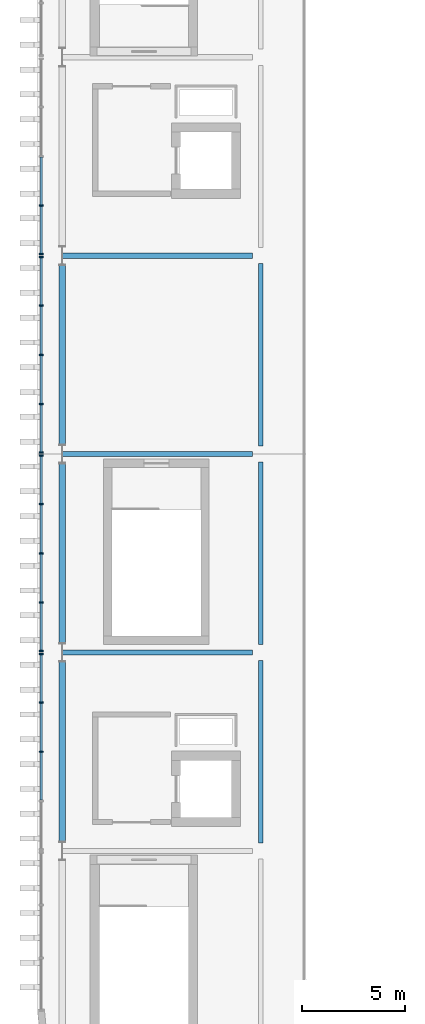
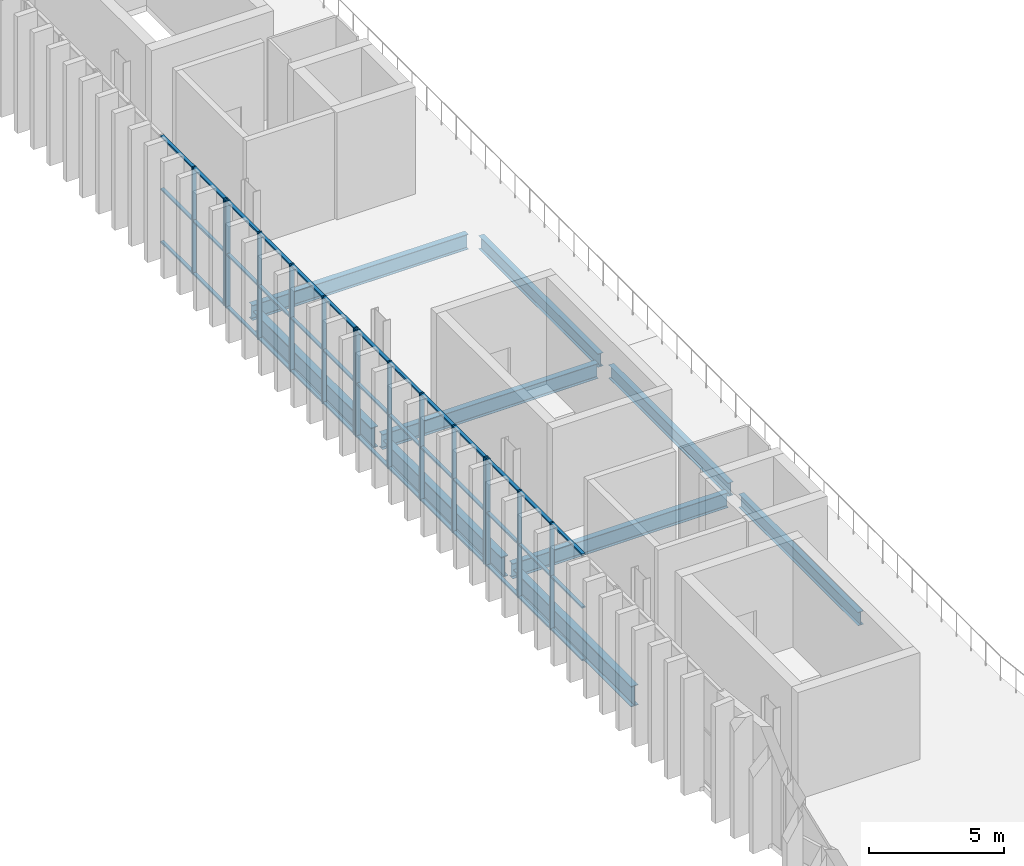
# One storey, part 12 of 45: 54 members, 9 beams, 4 elements without a shape of their own.
"""IFC4 building model written with IfcOpenShell, lengths in metres."""

from ifc_helpers import new_model, si_unit, direction, frame, origin, origin_2d, place, context, subcontext, project, spatial, rectangle, i_section, extrude, material, layer, layer_set, material_profile, profile_set, type_object, element, aggregate, save


model = new_model("IFC4")

# Units and contexts
model_context = context("Model", 3, precision=1e-05, world=origin(), true_north=direction((0.0, 1.0)))
body_context = subcontext(model_context, "Body", "Model", "MODEL_VIEW")
ifc_project = project(units=[si_unit("LENGTHUNIT", "METRE"), si_unit("AREAUNIT", "SQUARE_METRE"), si_unit("VOLUMEUNIT", "CUBIC_METRE"), si_unit("PLANEANGLEUNIT", "RADIAN"), si_unit("MASSUNIT", "GRAM", prefix="KILO")], contexts=[model_context])

# Site, building, storey
site_placement = place(None, origin())
site = spatial("IfcSite", under=ifc_project, at=site_placement, CompositionType="ELEMENT")
building_placement = place(site_placement, origin())
building = spatial("IfcBuilding", under=site, at=building_placement, Name="Caelomonte Colonnade Arena", CompositionType="ELEMENT")
storey_placement = place(building_placement, frame((0.0, 0.0, 23.10009765625)))
storey = spatial("IfcBuildingStorey", under=building, at=storey_placement, Name="L05", CompositionType="ELEMENT", Elevation=23.10009765625)

# Curtain wall, members
ifc_material_1 = material(Name="Bronze anodised aluminium and low-E glazing", Category="aluminium")
ifc_layer = layer(ifc_material_1, 0.179931640625)
ifc_layer_set = layer_set([ifc_layer], Name="Bronze anodised aluminium and low-E glazing")
curtain_wall_type = type_object("IfcCurtainWallType", Name="ENV-CW-CW-L05-96-48", PredefinedType="USERDEFINED", material=ifc_layer_set)
curtain_wall_1_placement = place(storey_placement, origin())
curtain_wall_1 = element("IfcCurtainWall", 1, at=curtain_wall_1_placement, inside=storey, type_object=curtain_wall_type, Name="L05 unitized curtain wall CW-L05-0566-0816", ObjectType="UNITIZED CURTAIN WALL", PredefinedType="USERDEFINED")
ifc_material_2 = material(Name="Bronze anodised aluminium AA6063-T6", Category="aluminium")
ifc_material_profile_1 = material_profile(ifc_material_2, rectangle(XDim=0.070068359375, YDim=0.179931640625, at=origin_2d()), Name="CWM-70X180")
ifc_profile_set_1 = profile_set([ifc_material_profile_1], Name="Bronze anodised aluminium AA6063-T6")
member_type_1 = type_object("IfcMemberType", Name="ENV-CW-MULL1", PredefinedType="MULLION", material=ifc_profile_set_1)
member_1_placement = place(storey_placement, frame((56.580078125, 79.219970703125, 0.0), z_axis=(0.0, 0.0, 1.0), x_axis=(0.0, -1.0, 0.0)))
member_1 = element("IfcMember", 2, at=member_1_placement, type_object=member_type_1, Name="CW-L05-96-48 mullion 4", PredefinedType="MULLION", context=body_context, shape_type="SweptSolid", body=[
    extrude(rectangle(XDim=0.070068359375, YDim=0.179931640625, at=origin_2d()), origin(), (0.0, 0.0, 1.0), 4.81982421875),
])
member_2_placement = place(storey_placement, frame((56.580078125, 76.875, 0.0), z_axis=(0.0, 0.0, 1.0), x_axis=(0.0, -1.0, 0.0)))
member_2 = element("IfcMember", 3, at=member_2_placement, type_object=member_type_1, Name="CW-L05-96-48 mullion 5", PredefinedType="MULLION", context=body_context, shape_type="SweptSolid", body=[
    extrude(rectangle(XDim=0.070068359375, YDim=0.179931640625, at=origin_2d()), origin(), (0.0, 0.0, 1.0), 4.81982421875),
])

curtain_wall_2_placement = place(storey_placement, origin())
curtain_wall_2 = element("IfcCurtainWall", 4, at=curtain_wall_2_placement, inside=storey, type_object=curtain_wall_type, Name="L05 unitized curtain wall CW-L05-0566-0720", ObjectType="UNITIZED CURTAIN WALL", PredefinedType="USERDEFINED")
member_3_placement = place(storey_placement, frame((56.580078125, 76.72509765625, 0.0), z_axis=(0.0, 0.0, 1.0), x_axis=(0.0, -1.0, 0.0)))
member_3 = element("IfcMember", 5, at=member_3_placement, type_object=member_type_1, Name="CW-L05-96-48 mullion 1", PredefinedType="MULLION", context=body_context, shape_type="SweptSolid", body=[
    extrude(rectangle(XDim=0.070068359375, YDim=0.179931640625, at=origin_2d()), origin(), (0.0, 0.0, 1.0), 4.81982421875),
])
member_4_placement = place(storey_placement, frame((56.580078125, 74.3798828125, 0.0), z_axis=(0.0, 0.0, 1.0), x_axis=(0.0, -1.0, 0.0)))
member_4 = element("IfcMember", 6, at=member_4_placement, type_object=member_type_1, Name="CW-L05-96-48 mullion 2", PredefinedType="MULLION", context=body_context, shape_type="SweptSolid", body=[
    extrude(rectangle(XDim=0.070068359375, YDim=0.179931640625, at=origin_2d()), origin(), (0.0, 0.0, 1.0), 4.81982421875),
])
member_5_placement = place(storey_placement, frame((56.580078125, 72.0, 0.0), z_axis=(0.0, 0.0, 1.0), x_axis=(0.0, -1.0, 0.0)))
member_5 = element("IfcMember", 7, at=member_5_placement, type_object=member_type_1, Name="CW-L05-96-48 mullion 3", PredefinedType="MULLION", context=body_context, shape_type="SweptSolid", body=[
    extrude(rectangle(XDim=0.070068359375, YDim=0.179931640625, at=origin_2d()), origin(), (0.0, 0.0, 1.0), 4.81982421875),
])
member_6_placement = place(storey_placement, frame((56.580078125, 69.6201171875, 0.0), z_axis=(0.0, 0.0, 1.0), x_axis=(0.0, -1.0, 0.0)))
member_6 = element("IfcMember", 8, at=member_6_placement, type_object=member_type_1, Name="CW-L05-96-48 mullion 4", PredefinedType="MULLION", context=body_context, shape_type="SweptSolid", body=[
    extrude(rectangle(XDim=0.070068359375, YDim=0.179931640625, at=origin_2d()), origin(), (0.0, 0.0, 1.0), 4.81982421875),
])
member_7_placement = place(storey_placement, frame((56.580078125, 67.27490234375, 0.0), z_axis=(0.0, 0.0, 1.0), x_axis=(0.0, -1.0, 0.0)))
member_7 = element("IfcMember", 9, at=member_7_placement, type_object=member_type_1, Name="CW-L05-96-48 mullion 5", PredefinedType="MULLION", context=body_context, shape_type="SweptSolid", body=[
    extrude(rectangle(XDim=0.070068359375, YDim=0.179931640625, at=origin_2d()), origin(), (0.0, 0.0, 1.0), 4.81982421875),
])

curtain_wall_3_placement = place(storey_placement, origin())
curtain_wall_3 = element("IfcCurtainWall", 10, at=curtain_wall_3_placement, inside=storey, type_object=curtain_wall_type, Name="L05 unitized curtain wall CW-L05-0566-0624", ObjectType="UNITIZED CURTAIN WALL", PredefinedType="USERDEFINED")
member_8_placement = place(storey_placement, frame((56.580078125, 67.125, 0.0), z_axis=(0.0, 0.0, 1.0), x_axis=(0.0, -1.0, 0.0)))
member_8 = element("IfcMember", 11, at=member_8_placement, type_object=member_type_1, Name="CW-L05-96-48 mullion 1", PredefinedType="MULLION", context=body_context, shape_type="SweptSolid", body=[
    extrude(rectangle(XDim=0.070068359375, YDim=0.179931640625, at=origin_2d()), origin(), (0.0, 0.0, 1.0), 4.81982421875),
])
member_9_placement = place(storey_placement, frame((56.580078125, 64.780029296875, 0.0), z_axis=(0.0, 0.0, 1.0), x_axis=(0.0, -1.0, 0.0)))
member_9 = element("IfcMember", 12, at=member_9_placement, type_object=member_type_1, Name="CW-L05-96-48 mullion 2", PredefinedType="MULLION", context=body_context, shape_type="SweptSolid", body=[
    extrude(rectangle(XDim=0.070068359375, YDim=0.179931640625, at=origin_2d()), origin(), (0.0, 0.0, 1.0), 4.81982421875),
])
member_10_placement = place(storey_placement, frame((56.580078125, 62.39990234375, 0.0), z_axis=(0.0, 0.0, 1.0), x_axis=(0.0, -1.0, 0.0)))
member_10 = element("IfcMember", 13, at=member_10_placement, type_object=member_type_1, Name="CW-L05-96-48 mullion 3", PredefinedType="MULLION", context=body_context, shape_type="SweptSolid", body=[
    extrude(rectangle(XDim=0.070068359375, YDim=0.179931640625, at=origin_2d()), origin(), (0.0, 0.0, 1.0), 4.81982421875),
])
member_11_placement = place(storey_placement, frame((56.580078125, 60.02001953125, 0.0), z_axis=(0.0, 0.0, 1.0), x_axis=(0.0, -1.0, 0.0)))
member_11 = element("IfcMember", 14, at=member_11_placement, type_object=member_type_1, Name="CW-L05-96-48 mullion 4", PredefinedType="MULLION", context=body_context, shape_type="SweptSolid", body=[
    extrude(rectangle(XDim=0.070068359375, YDim=0.179931640625, at=origin_2d()), origin(), (0.0, 0.0, 1.0), 4.81982421875),
])
member_12_placement = place(storey_placement, frame((56.580078125, 57.675048828125, 0.0), z_axis=(0.0, 0.0, 1.0), x_axis=(0.0, -1.0, 0.0)))
member_12 = element("IfcMember", 15, at=member_12_placement, type_object=member_type_1, Name="CW-L05-96-48 mullion 5", PredefinedType="MULLION", context=body_context, shape_type="SweptSolid", body=[
    extrude(rectangle(XDim=0.070068359375, YDim=0.179931640625, at=origin_2d()), origin(), (0.0, 0.0, 1.0), 4.81982421875),
])

curtain_wall_4_placement = place(storey_placement, origin())
curtain_wall_4 = element("IfcCurtainWall", 16, at=curtain_wall_4_placement, inside=storey, type_object=curtain_wall_type, Name="L05 unitized curtain wall CW-L05-0566-0528", ObjectType="UNITIZED CURTAIN WALL", PredefinedType="USERDEFINED")
member_13_placement = place(storey_placement, frame((56.580078125, 57.52490234375, 0.0), z_axis=(0.0, 0.0, 1.0), x_axis=(0.0, -1.0, 0.0)))
member_13 = element("IfcMember", 17, at=member_13_placement, type_object=member_type_1, Name="CW-L05-96-48 mullion 1", PredefinedType="MULLION", context=body_context, shape_type="SweptSolid", body=[
    extrude(rectangle(XDim=0.070068359375, YDim=0.179931640625, at=origin_2d()), origin(), (0.0, 0.0, 1.0), 4.81982421875),
])
member_14_placement = place(storey_placement, frame((56.580078125, 55.179931640625, 0.0), z_axis=(0.0, 0.0, 1.0), x_axis=(0.0, -1.0, 0.0)))
member_14 = element("IfcMember", 18, at=member_14_placement, type_object=member_type_1, Name="CW-L05-96-48 mullion 2", PredefinedType="MULLION", context=body_context, shape_type="SweptSolid", body=[
    extrude(rectangle(XDim=0.070068359375, YDim=0.179931640625, at=origin_2d()), origin(), (0.0, 0.0, 1.0), 4.81982421875),
])
member_15_placement = place(storey_placement, frame((56.580078125, 52.800048828125, 0.0), z_axis=(0.0, 0.0, 1.0), x_axis=(0.0, -1.0, 0.0)))
member_15 = element("IfcMember", 19, at=member_15_placement, type_object=member_type_1, Name="CW-L05-96-48 mullion 3", PredefinedType="MULLION", context=body_context, shape_type="SweptSolid", body=[
    extrude(rectangle(XDim=0.070068359375, YDim=0.179931640625, at=origin_2d()), origin(), (0.0, 0.0, 1.0), 4.81982421875),
])

# Member
ifc_material_profile_2 = material_profile(ifc_material_2, rectangle(XDim=0.070068359375, YDim=0.139892578125, at=origin_2d()), Name="CWT-70X140")
ifc_profile_set_2 = profile_set([ifc_material_profile_2], Name="Bronze anodised aluminium AA6063-T6")
member_type_2 = type_object("IfcMemberType", Name="ENV-CW-TRAN1", PredefinedType="USERDEFINED", material=ifc_profile_set_2)
member_16_placement = place(storey_placement, frame((56.580078125, 81.56494140625, 0.034912109375), z_axis=(0.0, -1.0, 0.0), x_axis=(0.0, 0.0, 1.0)))
member_16 = element("IfcMember", 20, at=member_16_placement, type_object=member_type_2, Name="CW-L05-96-48 transom 3.1", ObjectType="TRANSOM", PredefinedType="USERDEFINED", context=body_context, shape_type="SweptSolid", body=[
    extrude(rectangle(XDim=0.070068359375, YDim=0.139892578125, at=origin_2d()), origin(), (0.0, 0.0, 1.0), 2.31005859375),
])

member_17_placement = place(storey_placement, frame((56.580078125, 81.56494140625, 2.409912109375), z_axis=(0.0, -1.0, 0.0), x_axis=(0.0, 0.0, 1.0)))
member_17 = element("IfcMember", 21, at=member_17_placement, type_object=member_type_2, Name="CW-L05-96-48 transom 3.2", ObjectType="TRANSOM", PredefinedType="USERDEFINED", context=body_context, shape_type="SweptSolid", body=[
    extrude(rectangle(XDim=0.070068359375, YDim=0.139892578125, at=origin_2d()), origin(), (0.0, 0.0, 1.0), 2.31005859375),
])

member_18_placement = place(storey_placement, frame((56.580078125, 81.56494140625, 4.784912109375), z_axis=(0.0, -1.0, 0.0), x_axis=(0.0, 0.0, 1.0)))
member_18 = element("IfcMember", 22, at=member_18_placement, type_object=member_type_2, Name="CW-L05-96-48 transom 3.3", ObjectType="TRANSOM", PredefinedType="USERDEFINED", context=body_context, shape_type="SweptSolid", body=[
    extrude(rectangle(XDim=0.070068359375, YDim=0.139892578125, at=origin_2d()), origin(), (0.0, 0.0, 1.0), 2.31005859375),
])

member_19_placement = place(storey_placement, frame((56.580078125, 79.18505859375, 0.034912109375), z_axis=(0.0, -1.0, 0.0), x_axis=(0.0, 0.0, 1.0)))
member_19 = element("IfcMember", 23, at=member_19_placement, type_object=member_type_2, Name="CW-L05-96-48 transom 4.1", ObjectType="TRANSOM", PredefinedType="USERDEFINED", context=body_context, shape_type="SweptSolid", body=[
    extrude(rectangle(XDim=0.070068359375, YDim=0.139892578125, at=origin_2d()), origin(), (0.0, 0.0, 1.0), 2.275146484375),
])

member_20_placement = place(storey_placement, frame((56.580078125, 79.18505859375, 2.409912109375), z_axis=(0.0, -1.0, 0.0), x_axis=(0.0, 0.0, 1.0)))
member_20 = element("IfcMember", 24, at=member_20_placement, type_object=member_type_2, Name="CW-L05-96-48 transom 4.2", ObjectType="TRANSOM", PredefinedType="USERDEFINED", context=body_context, shape_type="SweptSolid", body=[
    extrude(rectangle(XDim=0.070068359375, YDim=0.139892578125, at=origin_2d()), origin(), (0.0, 0.0, 1.0), 2.275146484375),
])

member_21_placement = place(storey_placement, frame((56.580078125, 79.18505859375, 4.784912109375), z_axis=(0.0, -1.0, 0.0), x_axis=(0.0, 0.0, 1.0)))
member_21 = element("IfcMember", 25, at=member_21_placement, type_object=member_type_2, Name="CW-L05-96-48 transom 4.3", ObjectType="TRANSOM", PredefinedType="USERDEFINED", context=body_context, shape_type="SweptSolid", body=[
    extrude(rectangle(XDim=0.070068359375, YDim=0.139892578125, at=origin_2d()), origin(), (0.0, 0.0, 1.0), 2.275146484375),
])

aggregate(curtain_wall_1, [member_1, member_2, member_16, member_17, member_18, member_19, member_20, member_21])

member_22_placement = place(storey_placement, frame((56.580078125, 76.68994140625, 0.034912109375), z_axis=(0.0, -1.0, 0.0), x_axis=(0.0, 0.0, 1.0)))
member_22 = element("IfcMember", 26, at=member_22_placement, type_object=member_type_2, Name="CW-L05-96-48 transom 1.1", ObjectType="TRANSOM", PredefinedType="USERDEFINED", context=body_context, shape_type="SweptSolid", body=[
    extrude(rectangle(XDim=0.070068359375, YDim=0.139892578125, at=origin_2d()), origin(), (0.0, 0.0, 1.0), 2.27490234375),
])

member_23_placement = place(storey_placement, frame((56.580078125, 76.68994140625, 2.409912109375), z_axis=(0.0, -1.0, 0.0), x_axis=(0.0, 0.0, 1.0)))
member_23 = element("IfcMember", 27, at=member_23_placement, type_object=member_type_2, Name="CW-L05-96-48 transom 1.2", ObjectType="TRANSOM", PredefinedType="USERDEFINED", context=body_context, shape_type="SweptSolid", body=[
    extrude(rectangle(XDim=0.070068359375, YDim=0.139892578125, at=origin_2d()), origin(), (0.0, 0.0, 1.0), 2.27490234375),
])

member_24_placement = place(storey_placement, frame((56.580078125, 76.68994140625, 4.784912109375), z_axis=(0.0, -1.0, 0.0), x_axis=(0.0, 0.0, 1.0)))
member_24 = element("IfcMember", 28, at=member_24_placement, type_object=member_type_2, Name="CW-L05-96-48 transom 1.3", ObjectType="TRANSOM", PredefinedType="USERDEFINED", context=body_context, shape_type="SweptSolid", body=[
    extrude(rectangle(XDim=0.070068359375, YDim=0.139892578125, at=origin_2d()), origin(), (0.0, 0.0, 1.0), 2.27490234375),
])

member_25_placement = place(storey_placement, frame((56.580078125, 74.344970703125, 0.034912109375), z_axis=(0.0, -1.0, 0.0), x_axis=(0.0, 0.0, 1.0)))
member_25 = element("IfcMember", 29, at=member_25_placement, type_object=member_type_2, Name="CW-L05-96-48 transom 2.1", ObjectType="TRANSOM", PredefinedType="USERDEFINED", context=body_context, shape_type="SweptSolid", body=[
    extrude(rectangle(XDim=0.070068359375, YDim=0.139892578125, at=origin_2d()), origin(), (0.0, 0.0, 1.0), 2.31005859375),
])

member_26_placement = place(storey_placement, frame((56.580078125, 74.344970703125, 2.409912109375), z_axis=(0.0, -1.0, 0.0), x_axis=(0.0, 0.0, 1.0)))
member_26 = element("IfcMember", 30, at=member_26_placement, type_object=member_type_2, Name="CW-L05-96-48 transom 2.2", ObjectType="TRANSOM", PredefinedType="USERDEFINED", context=body_context, shape_type="SweptSolid", body=[
    extrude(rectangle(XDim=0.070068359375, YDim=0.139892578125, at=origin_2d()), origin(), (0.0, 0.0, 1.0), 2.31005859375),
])

member_27_placement = place(storey_placement, frame((56.580078125, 74.344970703125, 4.784912109375), z_axis=(0.0, -1.0, 0.0), x_axis=(0.0, 0.0, 1.0)))
member_27 = element("IfcMember", 31, at=member_27_placement, type_object=member_type_2, Name="CW-L05-96-48 transom 2.3", ObjectType="TRANSOM", PredefinedType="USERDEFINED", context=body_context, shape_type="SweptSolid", body=[
    extrude(rectangle(XDim=0.070068359375, YDim=0.139892578125, at=origin_2d()), origin(), (0.0, 0.0, 1.0), 2.31005859375),
])

member_28_placement = place(storey_placement, frame((56.580078125, 71.965087890625, 0.034912109375), z_axis=(0.0, -1.0, 0.0), x_axis=(0.0, 0.0, 1.0)))
member_28 = element("IfcMember", 32, at=member_28_placement, type_object=member_type_2, Name="CW-L05-96-48 transom 3.1", ObjectType="TRANSOM", PredefinedType="USERDEFINED", context=body_context, shape_type="SweptSolid", body=[
    extrude(rectangle(XDim=0.070068359375, YDim=0.139892578125, at=origin_2d()), origin(), (0.0, 0.0, 1.0), 2.31005859375),
])

member_29_placement = place(storey_placement, frame((56.580078125, 71.965087890625, 2.409912109375), z_axis=(0.0, -1.0, 0.0), x_axis=(0.0, 0.0, 1.0)))
member_29 = element("IfcMember", 33, at=member_29_placement, type_object=member_type_2, Name="CW-L05-96-48 transom 3.2", ObjectType="TRANSOM", PredefinedType="USERDEFINED", context=body_context, shape_type="SweptSolid", body=[
    extrude(rectangle(XDim=0.070068359375, YDim=0.139892578125, at=origin_2d()), origin(), (0.0, 0.0, 1.0), 2.31005859375),
])

member_30_placement = place(storey_placement, frame((56.580078125, 71.965087890625, 4.784912109375), z_axis=(0.0, -1.0, 0.0), x_axis=(0.0, 0.0, 1.0)))
member_30 = element("IfcMember", 34, at=member_30_placement, type_object=member_type_2, Name="CW-L05-96-48 transom 3.3", ObjectType="TRANSOM", PredefinedType="USERDEFINED", context=body_context, shape_type="SweptSolid", body=[
    extrude(rectangle(XDim=0.070068359375, YDim=0.139892578125, at=origin_2d()), origin(), (0.0, 0.0, 1.0), 2.31005859375),
])

member_31_placement = place(storey_placement, frame((56.580078125, 69.5849609375, 0.034912109375), z_axis=(0.0, -1.0, 0.0), x_axis=(0.0, 0.0, 1.0)))
member_31 = element("IfcMember", 35, at=member_31_placement, type_object=member_type_2, Name="CW-L05-96-48 transom 4.1", ObjectType="TRANSOM", PredefinedType="USERDEFINED", context=body_context, shape_type="SweptSolid", body=[
    extrude(rectangle(XDim=0.070068359375, YDim=0.139892578125, at=origin_2d()), origin(), (0.0, 0.0, 1.0), 2.27490234375),
])

member_32_placement = place(storey_placement, frame((56.580078125, 69.5849609375, 2.409912109375), z_axis=(0.0, -1.0, 0.0), x_axis=(0.0, 0.0, 1.0)))
member_32 = element("IfcMember", 36, at=member_32_placement, type_object=member_type_2, Name="CW-L05-96-48 transom 4.2", ObjectType="TRANSOM", PredefinedType="USERDEFINED", context=body_context, shape_type="SweptSolid", body=[
    extrude(rectangle(XDim=0.070068359375, YDim=0.139892578125, at=origin_2d()), origin(), (0.0, 0.0, 1.0), 2.27490234375),
])

member_33_placement = place(storey_placement, frame((56.580078125, 69.5849609375, 4.784912109375), z_axis=(0.0, -1.0, 0.0), x_axis=(0.0, 0.0, 1.0)))
member_33 = element("IfcMember", 37, at=member_33_placement, type_object=member_type_2, Name="CW-L05-96-48 transom 4.3", ObjectType="TRANSOM", PredefinedType="USERDEFINED", context=body_context, shape_type="SweptSolid", body=[
    extrude(rectangle(XDim=0.070068359375, YDim=0.139892578125, at=origin_2d()), origin(), (0.0, 0.0, 1.0), 2.27490234375),
])

aggregate(curtain_wall_2, [member_3, member_4, member_5, member_6, member_7, member_22, member_23, member_24, member_25, member_26, member_27, member_28, member_29, member_30, member_31, member_32, member_33])

member_34_placement = place(storey_placement, frame((56.580078125, 67.090087890625, 0.034912109375), z_axis=(0.0, -1.0, 0.0), x_axis=(0.0, 0.0, 1.0)))
member_34 = element("IfcMember", 38, at=member_34_placement, type_object=member_type_2, Name="CW-L05-96-48 transom 1.1", ObjectType="TRANSOM", PredefinedType="USERDEFINED", context=body_context, shape_type="SweptSolid", body=[
    extrude(rectangle(XDim=0.070068359375, YDim=0.139892578125, at=origin_2d()), origin(), (0.0, 0.0, 1.0), 2.275146484375),
])

member_35_placement = place(storey_placement, frame((56.580078125, 67.090087890625, 2.409912109375), z_axis=(0.0, -1.0, 0.0), x_axis=(0.0, 0.0, 1.0)))
member_35 = element("IfcMember", 39, at=member_35_placement, type_object=member_type_2, Name="CW-L05-96-48 transom 1.2", ObjectType="TRANSOM", PredefinedType="USERDEFINED", context=body_context, shape_type="SweptSolid", body=[
    extrude(rectangle(XDim=0.070068359375, YDim=0.139892578125, at=origin_2d()), origin(), (0.0, 0.0, 1.0), 2.275146484375),
])

member_36_placement = place(storey_placement, frame((56.580078125, 67.090087890625, 4.784912109375), z_axis=(0.0, -1.0, 0.0), x_axis=(0.0, 0.0, 1.0)))
member_36 = element("IfcMember", 40, at=member_36_placement, type_object=member_type_2, Name="CW-L05-96-48 transom 1.3", ObjectType="TRANSOM", PredefinedType="USERDEFINED", context=body_context, shape_type="SweptSolid", body=[
    extrude(rectangle(XDim=0.070068359375, YDim=0.139892578125, at=origin_2d()), origin(), (0.0, 0.0, 1.0), 2.275146484375),
])

member_37_placement = place(storey_placement, frame((56.580078125, 64.7451171875, 0.034912109375), z_axis=(0.0, -1.0, 0.0), x_axis=(0.0, 0.0, 1.0)))
member_37 = element("IfcMember", 41, at=member_37_placement, type_object=member_type_2, Name="CW-L05-96-48 transom 2.1", ObjectType="TRANSOM", PredefinedType="USERDEFINED", context=body_context, shape_type="SweptSolid", body=[
    extrude(rectangle(XDim=0.070068359375, YDim=0.139892578125, at=origin_2d()), origin(), (0.0, 0.0, 1.0), 2.31005859375),
])

member_38_placement = place(storey_placement, frame((56.580078125, 64.7451171875, 2.409912109375), z_axis=(0.0, -1.0, 0.0), x_axis=(0.0, 0.0, 1.0)))
member_38 = element("IfcMember", 42, at=member_38_placement, type_object=member_type_2, Name="CW-L05-96-48 transom 2.2", ObjectType="TRANSOM", PredefinedType="USERDEFINED", context=body_context, shape_type="SweptSolid", body=[
    extrude(rectangle(XDim=0.070068359375, YDim=0.139892578125, at=origin_2d()), origin(), (0.0, 0.0, 1.0), 2.31005859375),
])

member_39_placement = place(storey_placement, frame((56.580078125, 64.7451171875, 4.784912109375), z_axis=(0.0, -1.0, 0.0), x_axis=(0.0, 0.0, 1.0)))
member_39 = element("IfcMember", 43, at=member_39_placement, type_object=member_type_2, Name="CW-L05-96-48 transom 2.3", ObjectType="TRANSOM", PredefinedType="USERDEFINED", context=body_context, shape_type="SweptSolid", body=[
    extrude(rectangle(XDim=0.070068359375, YDim=0.139892578125, at=origin_2d()), origin(), (0.0, 0.0, 1.0), 2.31005859375),
])

member_40_placement = place(storey_placement, frame((56.580078125, 62.364990234375, 0.034912109375), z_axis=(0.0, -1.0, 0.0), x_axis=(0.0, 0.0, 1.0)))
member_40 = element("IfcMember", 44, at=member_40_placement, type_object=member_type_2, Name="CW-L05-96-48 transom 3.1", ObjectType="TRANSOM", PredefinedType="USERDEFINED", context=body_context, shape_type="SweptSolid", body=[
    extrude(rectangle(XDim=0.070068359375, YDim=0.139892578125, at=origin_2d()), origin(), (0.0, 0.0, 1.0), 2.31005859375),
])

member_41_placement = place(storey_placement, frame((56.580078125, 62.364990234375, 2.409912109375), z_axis=(0.0, -1.0, 0.0), x_axis=(0.0, 0.0, 1.0)))
member_41 = element("IfcMember", 45, at=member_41_placement, type_object=member_type_2, Name="CW-L05-96-48 transom 3.2", ObjectType="TRANSOM", PredefinedType="USERDEFINED", context=body_context, shape_type="SweptSolid", body=[
    extrude(rectangle(XDim=0.070068359375, YDim=0.139892578125, at=origin_2d()), origin(), (0.0, 0.0, 1.0), 2.31005859375),
])

member_42_placement = place(storey_placement, frame((56.580078125, 62.364990234375, 4.784912109375), z_axis=(0.0, -1.0, 0.0), x_axis=(0.0, 0.0, 1.0)))
member_42 = element("IfcMember", 46, at=member_42_placement, type_object=member_type_2, Name="CW-L05-96-48 transom 3.3", ObjectType="TRANSOM", PredefinedType="USERDEFINED", context=body_context, shape_type="SweptSolid", body=[
    extrude(rectangle(XDim=0.070068359375, YDim=0.139892578125, at=origin_2d()), origin(), (0.0, 0.0, 1.0), 2.31005859375),
])

member_43_placement = place(storey_placement, frame((56.580078125, 59.985107421875, 0.034912109375), z_axis=(0.0, -1.0, 0.0), x_axis=(0.0, 0.0, 1.0)))
member_43 = element("IfcMember", 47, at=member_43_placement, type_object=member_type_2, Name="CW-L05-96-48 transom 4.1", ObjectType="TRANSOM", PredefinedType="USERDEFINED", context=body_context, shape_type="SweptSolid", body=[
    extrude(rectangle(XDim=0.070068359375, YDim=0.139892578125, at=origin_2d()), origin(), (0.0, 0.0, 1.0), 2.275146484375),
])

member_44_placement = place(storey_placement, frame((56.580078125, 59.985107421875, 2.409912109375), z_axis=(0.0, -1.0, 0.0), x_axis=(0.0, 0.0, 1.0)))
member_44 = element("IfcMember", 48, at=member_44_placement, type_object=member_type_2, Name="CW-L05-96-48 transom 4.2", ObjectType="TRANSOM", PredefinedType="USERDEFINED", context=body_context, shape_type="SweptSolid", body=[
    extrude(rectangle(XDim=0.070068359375, YDim=0.139892578125, at=origin_2d()), origin(), (0.0, 0.0, 1.0), 2.275146484375),
])

member_45_placement = place(storey_placement, frame((56.580078125, 59.985107421875, 4.784912109375), z_axis=(0.0, -1.0, 0.0), x_axis=(0.0, 0.0, 1.0)))
member_45 = element("IfcMember", 49, at=member_45_placement, type_object=member_type_2, Name="CW-L05-96-48 transom 4.3", ObjectType="TRANSOM", PredefinedType="USERDEFINED", context=body_context, shape_type="SweptSolid", body=[
    extrude(rectangle(XDim=0.070068359375, YDim=0.139892578125, at=origin_2d()), origin(), (0.0, 0.0, 1.0), 2.275146484375),
])

aggregate(curtain_wall_3, [member_8, member_9, member_10, member_11, member_12, member_34, member_35, member_36, member_37, member_38, member_39, member_40, member_41, member_42, member_43, member_44, member_45])

member_46_placement = place(storey_placement, frame((56.580078125, 57.489990234375, 0.034912109375), z_axis=(0.0, -1.0, 0.0), x_axis=(0.0, 0.0, 1.0)))
member_46 = element("IfcMember", 50, at=member_46_placement, type_object=member_type_2, Name="CW-L05-96-48 transom 1.1", ObjectType="TRANSOM", PredefinedType="USERDEFINED", context=body_context, shape_type="SweptSolid", body=[
    extrude(rectangle(XDim=0.070068359375, YDim=0.139892578125, at=origin_2d()), origin(), (0.0, 0.0, 1.0), 2.27490234375),
])

member_47_placement = place(storey_placement, frame((56.580078125, 57.489990234375, 2.409912109375), z_axis=(0.0, -1.0, 0.0), x_axis=(0.0, 0.0, 1.0)))
member_47 = element("IfcMember", 51, at=member_47_placement, type_object=member_type_2, Name="CW-L05-96-48 transom 1.2", ObjectType="TRANSOM", PredefinedType="USERDEFINED", context=body_context, shape_type="SweptSolid", body=[
    extrude(rectangle(XDim=0.070068359375, YDim=0.139892578125, at=origin_2d()), origin(), (0.0, 0.0, 1.0), 2.27490234375),
])

member_48_placement = place(storey_placement, frame((56.580078125, 57.489990234375, 4.784912109375), z_axis=(0.0, -1.0, 0.0), x_axis=(0.0, 0.0, 1.0)))
member_48 = element("IfcMember", 52, at=member_48_placement, type_object=member_type_2, Name="CW-L05-96-48 transom 1.3", ObjectType="TRANSOM", PredefinedType="USERDEFINED", context=body_context, shape_type="SweptSolid", body=[
    extrude(rectangle(XDim=0.070068359375, YDim=0.139892578125, at=origin_2d()), origin(), (0.0, 0.0, 1.0), 2.27490234375),
])

member_49_placement = place(storey_placement, frame((56.580078125, 55.14501953125, 0.034912109375), z_axis=(0.0, -1.0, 0.0), x_axis=(0.0, 0.0, 1.0)))
member_49 = element("IfcMember", 53, at=member_49_placement, type_object=member_type_2, Name="CW-L05-96-48 transom 2.1", ObjectType="TRANSOM", PredefinedType="USERDEFINED", context=body_context, shape_type="SweptSolid", body=[
    extrude(rectangle(XDim=0.070068359375, YDim=0.139892578125, at=origin_2d()), origin(), (0.0, 0.0, 1.0), 2.31005859375),
])

member_50_placement = place(storey_placement, frame((56.580078125, 55.14501953125, 2.409912109375), z_axis=(0.0, -1.0, 0.0), x_axis=(0.0, 0.0, 1.0)))
member_50 = element("IfcMember", 54, at=member_50_placement, type_object=member_type_2, Name="CW-L05-96-48 transom 2.2", ObjectType="TRANSOM", PredefinedType="USERDEFINED", context=body_context, shape_type="SweptSolid", body=[
    extrude(rectangle(XDim=0.070068359375, YDim=0.139892578125, at=origin_2d()), origin(), (0.0, 0.0, 1.0), 2.31005859375),
])

member_51_placement = place(storey_placement, frame((56.580078125, 55.14501953125, 4.784912109375), z_axis=(0.0, -1.0, 0.0), x_axis=(0.0, 0.0, 1.0)))
member_51 = element("IfcMember", 55, at=member_51_placement, type_object=member_type_2, Name="CW-L05-96-48 transom 2.3", ObjectType="TRANSOM", PredefinedType="USERDEFINED", context=body_context, shape_type="SweptSolid", body=[
    extrude(rectangle(XDim=0.070068359375, YDim=0.139892578125, at=origin_2d()), origin(), (0.0, 0.0, 1.0), 2.31005859375),
])

member_52_placement = place(storey_placement, frame((56.580078125, 52.764892578125, 0.034912109375), z_axis=(0.0, -1.0, 0.0), x_axis=(0.0, 0.0, 1.0)))
member_52 = element("IfcMember", 56, at=member_52_placement, type_object=member_type_2, Name="CW-L05-96-48 transom 3.1", ObjectType="TRANSOM", PredefinedType="USERDEFINED", context=body_context, shape_type="SweptSolid", body=[
    extrude(rectangle(XDim=0.070068359375, YDim=0.139892578125, at=origin_2d()), origin(), (0.0, 0.0, 1.0), 2.309814453125),
])

member_53_placement = place(storey_placement, frame((56.580078125, 52.764892578125, 2.409912109375), z_axis=(0.0, -1.0, 0.0), x_axis=(0.0, 0.0, 1.0)))
member_53 = element("IfcMember", 57, at=member_53_placement, type_object=member_type_2, Name="CW-L05-96-48 transom 3.2", ObjectType="TRANSOM", PredefinedType="USERDEFINED", context=body_context, shape_type="SweptSolid", body=[
    extrude(rectangle(XDim=0.070068359375, YDim=0.139892578125, at=origin_2d()), origin(), (0.0, 0.0, 1.0), 2.309814453125),
])

member_54_placement = place(storey_placement, frame((56.580078125, 52.764892578125, 4.784912109375), z_axis=(0.0, -1.0, 0.0), x_axis=(0.0, 0.0, 1.0)))
member_54 = element("IfcMember", 58, at=member_54_placement, type_object=member_type_2, Name="CW-L05-96-48 transom 3.3", ObjectType="TRANSOM", PredefinedType="USERDEFINED", context=body_context, shape_type="SweptSolid", body=[
    extrude(rectangle(XDim=0.070068359375, YDim=0.139892578125, at=origin_2d()), origin(), (0.0, 0.0, 1.0), 2.309814453125),
])

aggregate(curtain_wall_4, [member_13, member_14, member_15, member_46, member_47, member_48, member_49, member_50, member_51, member_52, member_53, member_54])

# Beams
ifc_material_3 = material(Name="Wide-flange steel ASTM A992 Grade 50", Category="steel")
ifc_material_profile_3 = material_profile(ifc_material_3, i_section(OverallWidth=0.307861328125, OverallDepth=0.927001953125, WebThickness=0.019287109375, FlangeThickness=0.031982421875, FilletRadius=0.020263671875, at=origin_2d()), Name="W36X194")
ifc_profile_set_3 = profile_set([ifc_material_profile_3], Name="Wide-flange steel ASTM A992 Grade 50")
beam_type_1 = type_object("IfcBeamType", Name="STR-BM-EAVES2", PredefinedType="SPANDREL", material=ifc_profile_set_3)
for number, where, z_axis, x_axis, name in (
    (59, (57.60009765625, 48.45556640625, -0.7236328125), (0.0, 1.0, 0.0), (-1.0, 0.0, 0.0), "L05 girder BMY-L05-0576-0480"),
    (60, (57.60009765625, 58.0556640625, -0.7236328125), (0.0, 1.0, 0.0), (-1.0, 0.0, 0.0), "L05 girder BMY-L05-0576-0576"),
):
    element("IfcBeam", number, at=place(storey_placement, frame(where, z_axis=z_axis, x_axis=x_axis)), inside=storey, type_object=beam_type_1, Name=name, PredefinedType="SPANDREL", context=body_context, shape_type="SweptSolid", body=[
        extrude(i_section(OverallWidth=0.307861328125, OverallDepth=0.927001953125, WebThickness=0.019287109375, FlangeThickness=0.031982421875, FilletRadius=0.020263671875, at=origin_2d()), origin(), (0.0, 0.0, 1.0), 8.688720703125),
    ])
beam_1_placement = place(storey_placement, frame((57.60009765625, 67.655517578125, -0.7236328125), z_axis=(0.0, 1.0, 0.0), x_axis=(-1.0, 0.0, 0.0)))
element("IfcBeam", 61, at=beam_1_placement, inside=storey, type_object=beam_type_1, Name="L05 girder BMY-L05-0576-0672", PredefinedType="SPANDREL", context=body_context, shape_type="SweptSolid", body=[
    extrude(i_section(OverallWidth=0.307861328125, OverallDepth=0.927001953125, WebThickness=0.019287109375, FlangeThickness=0.031982421875, FilletRadius=0.020263671875, at=origin_2d()), origin(), (0.0, 0.0, 1.0), 8.68896484375),
])
ifc_material_profile_4 = material_profile(ifc_material_3, i_section(OverallWidth=0.227783203125, OverallDepth=0.60205078125, WebThickness=0.010498046875, FlangeThickness=0.014892578125, FilletRadius=0.0126953125, at=origin_2d()), Name="W24X68")
ifc_profile_set_4 = profile_set([ifc_material_profile_4], Name="Wide-flange steel ASTM A992 Grade 50")
beam_type_2 = type_object("IfcBeamType", Name="STR-BM-GIRD24B", PredefinedType="SPANDREL", material=ifc_profile_set_4)
beam_2_placement = place(storey_placement, frame((67.199951171875, 48.39208984375, -0.56103515625), z_axis=(0.0, 1.0, 0.0), x_axis=(-1.0, 0.0, 0.0)))
element("IfcBeam", 62, at=beam_2_placement, inside=storey, type_object=beam_type_2, Name="L05 girder BMY-L05-0672-0480", PredefinedType="SPANDREL", context=body_context, shape_type="SweptSolid", body=[
    extrude(i_section(OverallWidth=0.227783203125, OverallDepth=0.60205078125, WebThickness=0.010498046875, FlangeThickness=0.014892578125, FilletRadius=0.0126953125, at=origin_2d()), origin(), (0.0, 0.0, 1.0), 8.81591796875),
])
beam_3_placement = place(storey_placement, frame((67.199951171875, 57.991943359375, -0.56103515625), z_axis=(0.0, 1.0, 0.0), x_axis=(-1.0, 0.0, 0.0)))
element("IfcBeam", 63, at=beam_3_placement, inside=storey, type_object=beam_type_2, Name="L05 girder BMY-L05-0672-0576", PredefinedType="SPANDREL", context=body_context, shape_type="SweptSolid", body=[
    extrude(i_section(OverallWidth=0.227783203125, OverallDepth=0.60205078125, WebThickness=0.010498046875, FlangeThickness=0.014892578125, FilletRadius=0.0126953125, at=origin_2d()), origin(), (0.0, 0.0, 1.0), 8.816162109375),
])
beam_4_placement = place(storey_placement, frame((67.199951171875, 67.592041015625, -0.56103515625), z_axis=(0.0, 1.0, 0.0), x_axis=(-1.0, 0.0, 0.0)))
element("IfcBeam", 64, at=beam_4_placement, inside=storey, type_object=beam_type_2, Name="L05 girder BMY-L05-0672-0672", PredefinedType="SPANDREL", context=body_context, shape_type="SweptSolid", body=[
    extrude(i_section(OverallWidth=0.227783203125, OverallDepth=0.60205078125, WebThickness=0.010498046875, FlangeThickness=0.014892578125, FilletRadius=0.0126953125, at=origin_2d()), origin(), (0.0, 0.0, 1.0), 8.81591796875),
])
ifc_material_profile_5 = material_profile(ifc_material_3, i_section(OverallWidth=0.2529296875, OverallDepth=0.67822265625, WebThickness=0.01171875, FlangeThickness=0.016357421875, FilletRadius=0.01513671875, at=origin_2d()), Name="W27X84")
ifc_profile_set_5 = profile_set([ifc_material_profile_5], Name="Wide-flange steel ASTM A992 Grade 50")
beam_type_3 = type_object("IfcBeamType", Name="STR-BM-GIRD27B", PredefinedType="BEAM", material=ifc_profile_set_5)
for number, where, z_axis, x_axis, name in (
    (65, (57.609619140625, 57.60009765625, -0.59912109375), (1.0, 0.0, 0.0), (0.0, 1.0, 0.0), "L05 girder BMX-L05-0576-0576"),
    (66, (57.609619140625, 67.199951171875, -0.59912109375), (1.0, 0.0, 0.0), (0.0, 1.0, 0.0), "L05 girder BMX-L05-0576-0672"),
    (67, (57.609619140625, 76.800048828125, -0.59912109375), (1.0, 0.0, 0.0), (0.0, 1.0, 0.0), "L05 girder BMX-L05-0576-0768"),
):
    element("IfcBeam", number, at=place(storey_placement, frame(where, z_axis=z_axis, x_axis=x_axis)), inside=storey, type_object=beam_type_3, Name=name, PredefinedType="BEAM", context=body_context, shape_type="SweptSolid", body=[
        extrude(i_section(OverallWidth=0.2529296875, OverallDepth=0.67822265625, WebThickness=0.01171875, FlangeThickness=0.016357421875, FilletRadius=0.01513671875, at=origin_2d()), origin(), (0.0, 0.0, 1.0), 9.198486328125),
    ])

save(model, "model.ifc")
